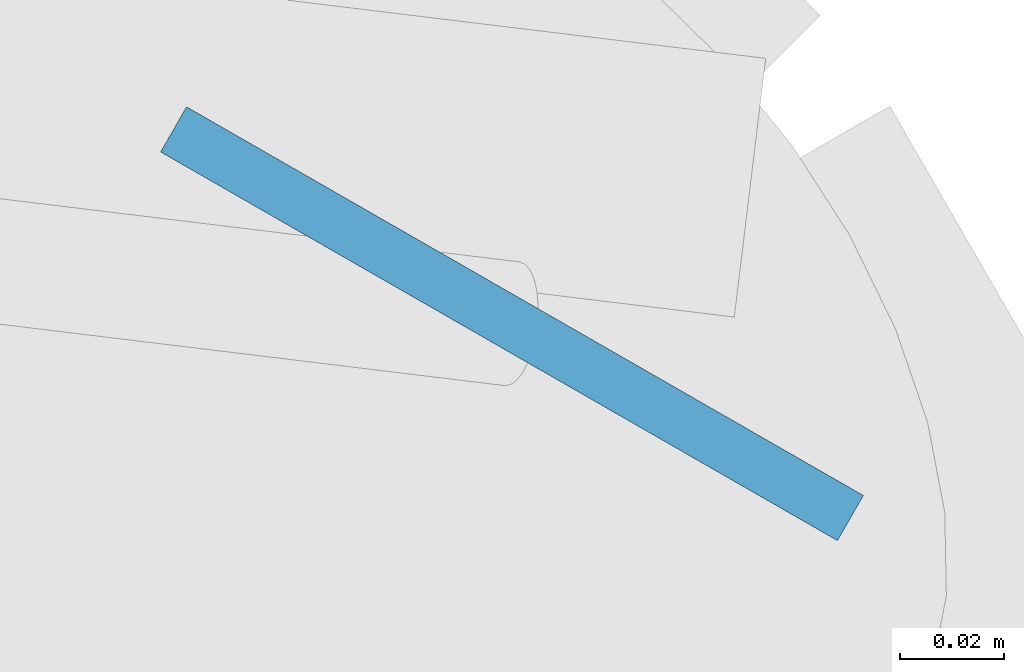
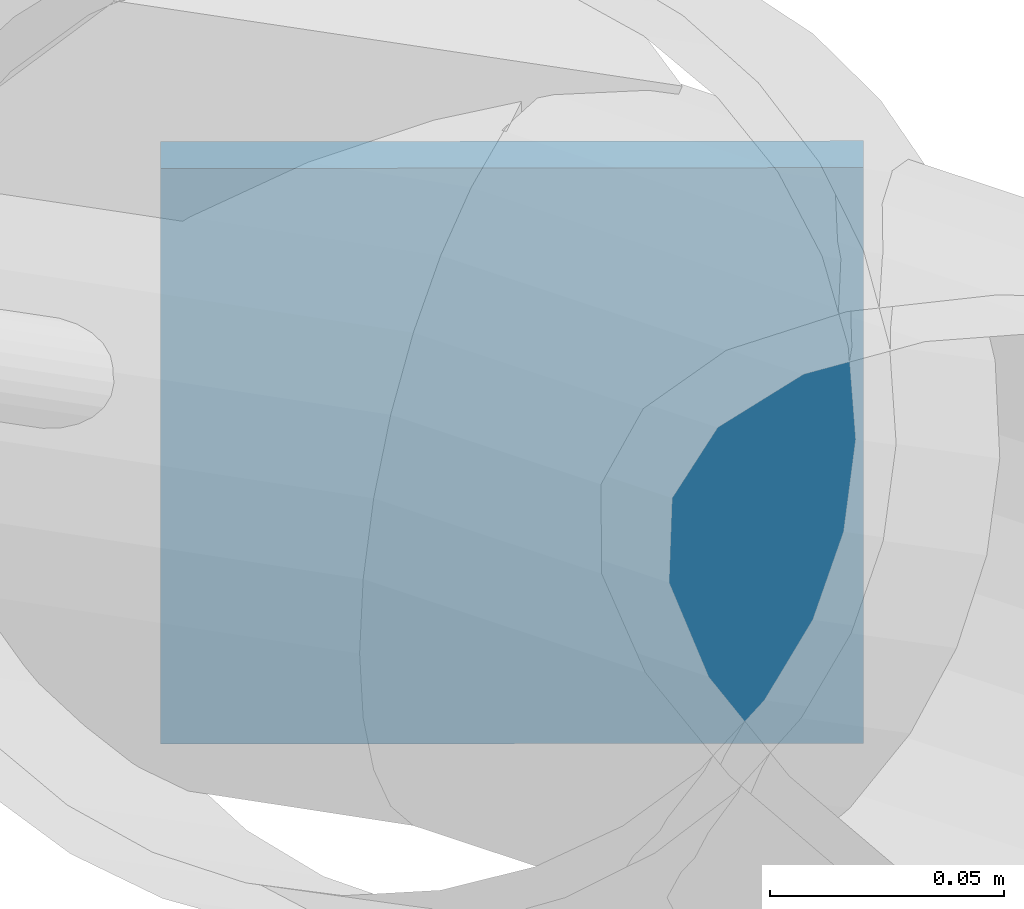
# One storey, part 28 of 33: 1 discrete accessory.
"""IFC4 building model written with IfcOpenShell, lengths in metres."""

from ifc_helpers import new_model, si_unit, direction, frame, origin, origin_2d, place, context, subcontext, project, spatial, rectangle, extrude, material, type_object, element, save


model = new_model("IFC4")

# Units and contexts
model_context = context("Model", 3, precision=1e-05, world=origin(), true_north=direction((0.0, 1.0)))
body_context = subcontext(model_context, "Body", "Model", "MODEL_VIEW")
ifc_project = project(units=[si_unit("LENGTHUNIT", "METRE"), si_unit("AREAUNIT", "SQUARE_METRE"), si_unit("VOLUMEUNIT", "CUBIC_METRE"), si_unit("PLANEANGLEUNIT", "RADIAN"), si_unit("MASSUNIT", "GRAM", prefix="KILO")], contexts=[model_context])

# Site, building, storey
site_placement = place(None, origin())
site = spatial("IfcSite", under=ifc_project, at=site_placement, CompositionType="ELEMENT")
building_placement = place(site_placement, origin())
building = spatial("IfcBuilding", under=site, at=building_placement, Name="Hortulan Conservatory and Botanical Research Centre", CompositionType="ELEMENT")
storey_placement = place(building_placement, frame((0.0, 0.0, 19.199951171875)))
storey = spatial("IfcBuildingStorey", under=building, at=storey_placement, Name="L04", CompositionType="ELEMENT", Elevation=19.199951171875)

# Discrete accessory
ifc_material = material(Name="Steel Grade 300 plate (AS/NZS 3678, 280 MPa minimum yield)", Category="steel")
discrete_accessory_type = type_object("IfcDiscreteAccessoryType", Name="End Plate 150x10", PredefinedType="BRACKET", material=ifc_material)
discrete_accessory_placement = place(storey_placement, frame((63.599609375, 25.365966796875, 0.361572265625), z_axis=(0.0, 0.0, 1.0), x_axis=(0.867201096005, -0.497958089691, 0.0)))
element("IfcDiscreteAccessory", 1, at=discrete_accessory_placement, inside=storey, type_object=discrete_accessory_type, Name="Dome rod end plate", PredefinedType="BRACKET", context=body_context, shape_type="SweptSolid", body=[
    extrude(rectangle(XDim=0.14990234375, YDim=0.010009765625, at=origin_2d()), origin(), (0.0, 0.0, 1.0), 0.14990234375),
])

save(model, "model.ifc")
